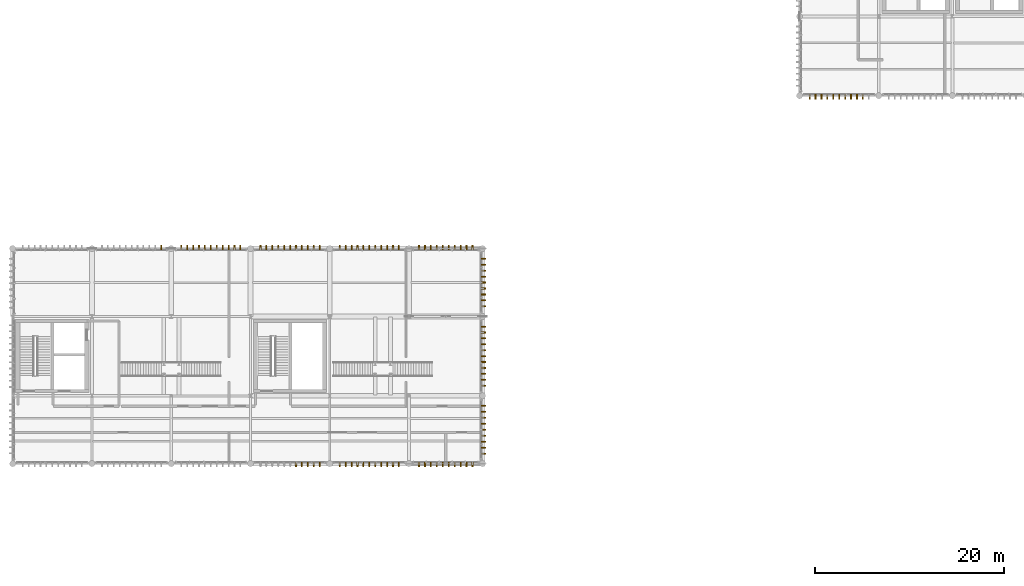
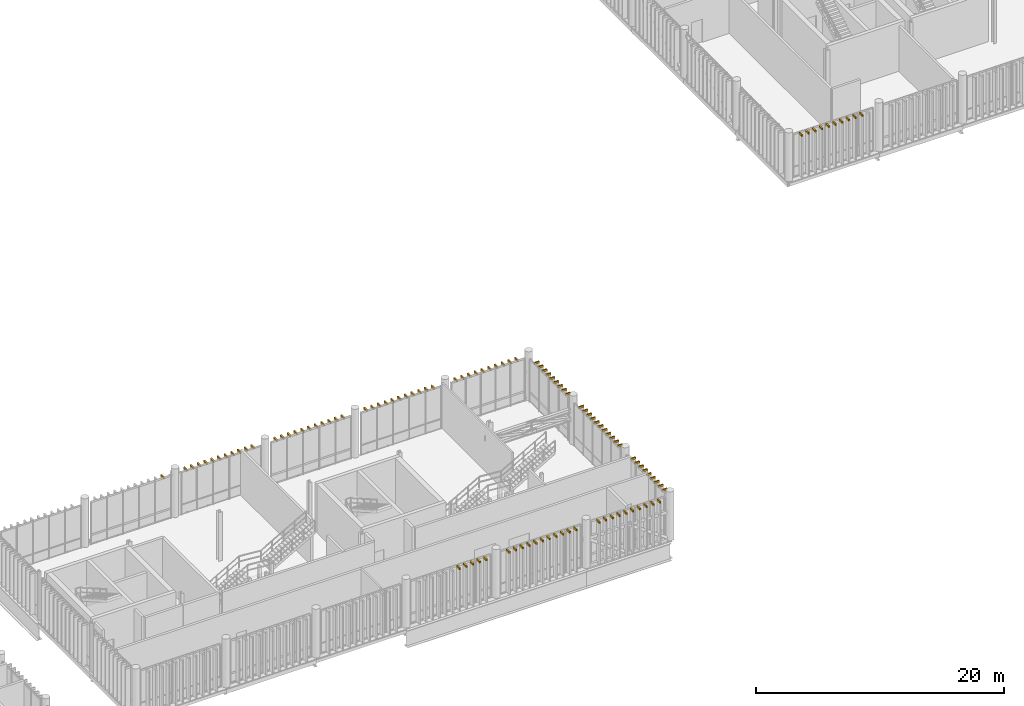
# One storey, part 85 of 86: 109 shading devices.
"""IFC4 building model written with IfcOpenShell, lengths in metres."""

from ifc_helpers import new_model, si_unit, direction, frame, origin_with_axes, origin_2d_with_axis, place, context, subcontext, project, spatial, rectangle, extrude, material, type_object, element, save


model = new_model("IFC4")

# Units and contexts
model_context = context("Model", 3, precision=1e-05, world=origin_with_axes(), true_north=direction((0.0, 1.0)))
body_context = subcontext(model_context, "Body", "Model", "MODEL_VIEW")
ifc_project = project(units=[si_unit("LENGTHUNIT", "METRE"), si_unit("AREAUNIT", "SQUARE_METRE"), si_unit("VOLUMEUNIT", "CUBIC_METRE"), si_unit("PLANEANGLEUNIT", "RADIAN"), si_unit("MASSUNIT", "GRAM", prefix="KILO"), si_unit("THERMODYNAMICTEMPERATUREUNIT", "KELVIN")], contexts=[model_context])

# Site, building, storey
site_placement = place(None, origin_with_axes())
site = spatial("IfcSite", under=ifc_project, at=site_placement, CompositionType="ELEMENT")
building_placement = place(site_placement, origin_with_axes())
building = spatial("IfcBuilding", under=site, at=building_placement, Name="Montbau Bow Law Courts", CompositionType="ELEMENT")
storey_placement = place(building_placement, frame((0.0, 0.0, 29.7), z_axis=(0.0, 0.0, 1.0), x_axis=(1.0, 0.0, 0.0)))
storey = spatial("IfcBuildingStorey", under=building, at=storey_placement, Name="L06", CompositionType="ELEMENT", Elevation=29.7)

# Shading devices
ifc_material_1 = material(Name="Freeze-Thaw Glazed Cream Ceramic Vertical Louvre", Category="masonry")
shading_device_type_1 = type_object("IfcShadingDeviceType", Name="SH-LVR-CRM", PredefinedType="USERDEFINED", material=ifc_material_1)
for number, where, z_axis, x_axis, name in (
    (1, (85.227, 38.89, 33.74), (0.0, 0.0, 1.0), (0.0, -1.0, 0.0), "LVR-L06-1942:shd_1942"),
    (2, (85.853, 38.89, 33.74), (0.0, 0.0, 1.0), (0.0, -1.0, 0.0), "LVR-L06-1943:shd_1943"),
    (3, (86.48, 38.89, 33.74), (0.0, 0.0, 1.0), (0.0, -1.0, 0.0), "LVR-L06-1944:shd_1944"),
    (4, (87.107, 38.89, 33.74), (0.0, 0.0, 1.0), (0.0, -1.0, 0.0), "LVR-L06-1945:shd_1945"),
    (5, (87.733, 38.89, 33.74), (0.0, 0.0, 1.0), (0.0, -1.0, 0.0), "LVR-L06-1946:shd_1946"),
    (6, (89.867, 38.89, 33.74), (0.0, 0.0, 1.0), (0.0, -1.0, 0.0), "LVR-L06-1947:shd_1947"),
    (7, (90.493, 38.89, 33.74), (0.0, 0.0, 1.0), (0.0, -1.0, 0.0), "LVR-L06-1948:shd_1948"),
    (8, (91.12, 38.89, 33.74), (0.0, 0.0, 1.0), (0.0, -1.0, 0.0), "LVR-L06-1949:shd_1949"),
    (9, (91.747, 38.89, 33.74), (0.0, 0.0, 1.0), (0.0, -1.0, 0.0), "LVR-L06-1950:shd_1950"),
    (10, (92.373, 38.89, 33.74), (0.0, 0.0, 1.0), (0.0, -1.0, 0.0), "LVR-L06-1951:shd_1951"),
    (11, (93.0, 38.89, 33.74), (0.0, 0.0, 1.0), (0.0, -1.0, 0.0), "LVR-L06-1952:shd_1952"),
    (12, (93.627, 38.89, 33.74), (0.0, 0.0, 1.0), (0.0, -1.0, 0.0), "LVR-L06-1953:shd_1953"),
    (13, (94.253, 38.89, 33.74), (0.0, 0.0, 1.0), (0.0, -1.0, 0.0), "LVR-L06-1954:shd_1954"),
    (14, (94.88, 38.89, 33.74), (0.0, 0.0, 1.0), (0.0, -1.0, 0.0), "LVR-L06-1955:shd_1955"),
    (15, (95.507, 38.89, 33.74), (0.0, 0.0, 1.0), (0.0, -1.0, 0.0), "LVR-L06-1956:shd_1956"),
    (16, (96.133, 38.89, 33.74), (0.0, 0.0, 1.0), (0.0, -1.0, 0.0), "LVR-L06-1957:shd_1957"),
    (17, (98.269, 38.89, 33.74), (0.0, 0.0, 1.0), (0.0, -1.0, 0.0), "LVR-L06-1958:shd_1958"),
    (18, (98.898, 38.89, 33.74), (0.0, 0.0, 1.0), (0.0, -1.0, 0.0), "LVR-L06-1959:shd_1959"),
    (19, (99.527, 38.89, 33.74), (0.0, 0.0, 1.0), (0.0, -1.0, 0.0), "LVR-L06-1960:shd_1960"),
    (20, (100.156, 38.89, 33.74), (0.0, 0.0, 1.0), (0.0, -1.0, 0.0), "LVR-L06-1961:shd_1961"),
    (21, (100.785, 38.89, 33.74), (0.0, 0.0, 1.0), (0.0, -1.0, 0.0), "LVR-L06-1962:shd_1962"),
    (22, (101.415, 38.89, 33.74), (0.0, 0.0, 1.0), (0.0, -1.0, 0.0), "LVR-L06-1963:shd_1963"),
    (23, (102.044, 38.89, 33.74), (0.0, 0.0, 1.0), (0.0, -1.0, 0.0), "LVR-L06-1964:shd_1964"),
    (24, (102.673, 38.89, 33.74), (0.0, 0.0, 1.0), (0.0, -1.0, 0.0), "LVR-L06-1965:shd_1965"),
    (25, (103.302, 38.89, 33.74), (0.0, 0.0, 1.0), (0.0, -1.0, 0.0), "LVR-L06-1966:shd_1966"),
    (26, (103.931, 38.89, 33.74), (0.0, 0.0, 1.0), (0.0, -1.0, 0.0), "LVR-L06-1967:shd_1967"),
    (27, (70.933, 61.91, 33.74), (0.0, 0.0, 1.0), (0.0, 1.0, 0.0), "LVR-L06-1989:shd_1989"),
    (28, (73.067, 61.91, 33.74), (0.0, 0.0, 1.0), (0.0, 1.0, 0.0), "LVR-L06-1990:shd_1990"),
    (29, (73.693, 61.91, 33.74), (0.0, 0.0, 1.0), (0.0, 1.0, 0.0), "LVR-L06-1991:shd_1991"),
    (30, (74.32, 61.91, 33.74), (0.0, 0.0, 1.0), (0.0, 1.0, 0.0), "LVR-L06-1992:shd_1992"),
    (31, (74.947, 61.91, 33.74), (0.0, 0.0, 1.0), (0.0, 1.0, 0.0), "LVR-L06-1993:shd_1993"),
    (32, (75.573, 61.91, 33.74), (0.0, 0.0, 1.0), (0.0, 1.0, 0.0), "LVR-L06-1994:shd_1994"),
    (33, (76.2, 61.91, 33.74), (0.0, 0.0, 1.0), (0.0, 1.0, 0.0), "LVR-L06-1995:shd_1995"),
    (34, (76.827, 61.91, 33.74), (0.0, 0.0, 1.0), (0.0, 1.0, 0.0), "LVR-L06-1996:shd_1996"),
    (35, (77.453, 61.91, 33.74), (0.0, 0.0, 1.0), (0.0, 1.0, 0.0), "LVR-L06-1997:shd_1997"),
    (36, (78.08, 61.91, 33.74), (0.0, 0.0, 1.0), (0.0, 1.0, 0.0), "LVR-L06-1998:shd_1998"),
    (37, (78.707, 61.91, 33.74), (0.0, 0.0, 1.0), (0.0, 1.0, 0.0), "LVR-L06-1999:shd_1999"),
    (38, (79.333, 61.91, 33.74), (0.0, 0.0, 1.0), (0.0, 1.0, 0.0), "LVR-L06-2000:shd_2000"),
    (39, (81.467, 61.91, 33.74), (0.0, 0.0, 1.0), (0.0, 1.0, 0.0), "LVR-L06-2001:shd_2001"),
    (40, (82.093, 61.91, 33.74), (0.0, 0.0, 1.0), (0.0, 1.0, 0.0), "LVR-L06-2002:shd_2002"),
    (41, (82.72, 61.91, 33.74), (0.0, 0.0, 1.0), (0.0, 1.0, 0.0), "LVR-L06-2003:shd_2003"),
    (42, (83.347, 61.91, 33.74), (0.0, 0.0, 1.0), (0.0, 1.0, 0.0), "LVR-L06-2004:shd_2004"),
    (43, (83.973, 61.91, 33.74), (0.0, 0.0, 1.0), (0.0, 1.0, 0.0), "LVR-L06-2005:shd_2005"),
    (44, (84.6, 61.91, 33.74), (0.0, 0.0, 1.0), (0.0, 1.0, 0.0), "LVR-L06-2006:shd_2006"),
    (45, (85.227, 61.91, 33.74), (0.0, 0.0, 1.0), (0.0, 1.0, 0.0), "LVR-L06-2007:shd_2007"),
    (46, (85.853, 61.91, 33.74), (0.0, 0.0, 1.0), (0.0, 1.0, 0.0), "LVR-L06-2008:shd_2008"),
    (47, (86.48, 61.91, 33.74), (0.0, 0.0, 1.0), (0.0, 1.0, 0.0), "LVR-L06-2009:shd_2009"),
    (48, (87.107, 61.91, 33.74), (0.0, 0.0, 1.0), (0.0, 1.0, 0.0), "LVR-L06-2010:shd_2010"),
    (49, (87.733, 61.91, 33.74), (0.0, 0.0, 1.0), (0.0, 1.0, 0.0), "LVR-L06-2011:shd_2011"),
    (50, (89.867, 61.91, 33.74), (0.0, 0.0, 1.0), (0.0, 1.0, 0.0), "LVR-L06-2012:shd_2012"),
    (51, (90.493, 61.91, 33.74), (0.0, 0.0, 1.0), (0.0, 1.0, 0.0), "LVR-L06-2013:shd_2013"),
    (52, (91.12, 61.91, 33.74), (0.0, 0.0, 1.0), (0.0, 1.0, 0.0), "LVR-L06-2014:shd_2014"),
    (53, (91.747, 61.91, 33.74), (0.0, 0.0, 1.0), (0.0, 1.0, 0.0), "LVR-L06-2015:shd_2015"),
    (54, (92.373, 61.91, 33.74), (0.0, 0.0, 1.0), (0.0, 1.0, 0.0), "LVR-L06-2016:shd_2016"),
    (55, (93.0, 61.91, 33.74), (0.0, 0.0, 1.0), (0.0, 1.0, 0.0), "LVR-L06-2017:shd_2017"),
    (56, (93.627, 61.91, 33.74), (0.0, 0.0, 1.0), (0.0, 1.0, 0.0), "LVR-L06-2018:shd_2018"),
    (57, (94.253, 61.91, 33.74), (0.0, 0.0, 1.0), (0.0, 1.0, 0.0), "LVR-L06-2019:shd_2019"),
    (58, (94.88, 61.91, 33.74), (0.0, 0.0, 1.0), (0.0, 1.0, 0.0), "LVR-L06-2020:shd_2020"),
    (59, (95.507, 61.91, 33.74), (0.0, 0.0, 1.0), (0.0, 1.0, 0.0), "LVR-L06-2021:shd_2021"),
    (60, (96.133, 61.91, 33.74), (0.0, 0.0, 1.0), (0.0, 1.0, 0.0), "LVR-L06-2022:shd_2022"),
    (61, (98.269, 61.91, 33.74), (0.0, 0.0, 1.0), (0.0, 1.0, 0.0), "LVR-L06-2023:shd_2023"),
    (62, (98.898, 61.91, 33.74), (0.0, 0.0, 1.0), (0.0, 1.0, 0.0), "LVR-L06-2024:shd_2024"),
    (63, (99.527, 61.91, 33.74), (0.0, 0.0, 1.0), (0.0, 1.0, 0.0), "LVR-L06-2025:shd_2025"),
    (64, (100.156, 61.91, 33.74), (0.0, 0.0, 1.0), (0.0, 1.0, 0.0), "LVR-L06-2026:shd_2026"),
    (65, (100.785, 61.91, 33.74), (0.0, 0.0, 1.0), (0.0, 1.0, 0.0), "LVR-L06-2027:shd_2027"),
    (66, (101.415, 61.91, 33.74), (0.0, 0.0, 1.0), (0.0, 1.0, 0.0), "LVR-L06-2028:shd_2028"),
    (67, (102.044, 61.91, 33.74), (0.0, 0.0, 1.0), (0.0, 1.0, 0.0), "LVR-L06-2029:shd_2029"),
    (68, (102.673, 61.91, 33.74), (0.0, 0.0, 1.0), (0.0, 1.0, 0.0), "LVR-L06-2030:shd_2030"),
    (69, (103.302, 61.91, 33.74), (0.0, 0.0, 1.0), (0.0, 1.0, 0.0), "LVR-L06-2031:shd_2031"),
    (70, (103.931, 61.91, 33.74), (0.0, 0.0, 1.0), (0.0, 1.0, 0.0), "LVR-L06-2032:shd_2032"),
    (71, (105.11, 40.072, 33.74), (0.0, 0.0, 1.0), (1.0, 0.0, 0.0), "LVR-L06-2062:shd_2062"),
    (72, (105.11, 40.704, 33.74), (0.0, 0.0, 1.0), (1.0, 0.0, 0.0), "LVR-L06-2063:shd_2063"),
    (73, (105.11, 41.336, 33.74), (0.0, 0.0, 1.0), (1.0, 0.0, 0.0), "LVR-L06-2064:shd_2064"),
    (74, (105.11, 41.968, 33.74), (0.0, 0.0, 1.0), (1.0, 0.0, 0.0), "LVR-L06-2065:shd_2065"),
    (75, (105.11, 42.6, 33.74), (0.0, 0.0, 1.0), (1.0, 0.0, 0.0), "LVR-L06-2066:shd_2066"),
    (76, (105.11, 43.232, 33.74), (0.0, 0.0, 1.0), (1.0, 0.0, 0.0), "LVR-L06-2067:shd_2067"),
    (77, (105.11, 43.864, 33.74), (0.0, 0.0, 1.0), (1.0, 0.0, 0.0), "LVR-L06-2068:shd_2068"),
    (78, (105.11, 44.496, 33.74), (0.0, 0.0, 1.0), (1.0, 0.0, 0.0), "LVR-L06-2069:shd_2069"),
    (79, (105.11, 45.128, 33.74), (0.0, 0.0, 1.0), (1.0, 0.0, 0.0), "LVR-L06-2070:shd_2070"),
    (80, (105.11, 47.267, 33.74), (0.0, 0.0, 1.0), (1.0, 0.0, 0.0), "LVR-L06-2071:shd_2071"),
    (81, (105.11, 47.893, 33.74), (0.0, 0.0, 1.0), (1.0, 0.0, 0.0), "LVR-L06-2072:shd_2072"),
    (82, (105.11, 48.52, 33.74), (0.0, 0.0, 1.0), (1.0, 0.0, 0.0), "LVR-L06-2073:shd_2073"),
    (83, (105.11, 49.147, 33.74), (0.0, 0.0, 1.0), (1.0, 0.0, 0.0), "LVR-L06-2074:shd_2074"),
    (84, (105.11, 49.773, 33.74), (0.0, 0.0, 1.0), (1.0, 0.0, 0.0), "LVR-L06-2075:shd_2075"),
    (85, (105.11, 50.4, 33.74), (0.0, 0.0, 1.0), (1.0, 0.0, 0.0), "LVR-L06-2076:shd_2076"),
    (86, (105.11, 51.027, 33.74), (0.0, 0.0, 1.0), (1.0, 0.0, 0.0), "LVR-L06-2077:shd_2077"),
    (87, (105.11, 51.653, 33.74), (0.0, 0.0, 1.0), (1.0, 0.0, 0.0), "LVR-L06-2078:shd_2078"),
    (88, (105.11, 52.28, 33.74), (0.0, 0.0, 1.0), (1.0, 0.0, 0.0), "LVR-L06-2079:shd_2079"),
    (89, (105.11, 52.907, 33.74), (0.0, 0.0, 1.0), (1.0, 0.0, 0.0), "LVR-L06-2080:shd_2080"),
    (90, (105.11, 53.533, 33.74), (0.0, 0.0, 1.0), (1.0, 0.0, 0.0), "LVR-L06-2081:shd_2081"),
    (91, (105.11, 55.672, 33.74), (0.0, 0.0, 1.0), (1.0, 0.0, 0.0), "LVR-L06-2082:shd_2082"),
    (92, (105.11, 56.304, 33.74), (0.0, 0.0, 1.0), (1.0, 0.0, 0.0), "LVR-L06-2083:shd_2083"),
    (93, (105.11, 56.936, 33.74), (0.0, 0.0, 1.0), (1.0, 0.0, 0.0), "LVR-L06-2084:shd_2084"),
    (94, (105.11, 57.568, 33.74), (0.0, 0.0, 1.0), (1.0, 0.0, 0.0), "LVR-L06-2085:shd_2085"),
    (95, (105.11, 58.2, 33.74), (0.0, 0.0, 1.0), (1.0, 0.0, 0.0), "LVR-L06-2086:shd_2086"),
    (96, (105.11, 58.832, 33.74), (0.0, 0.0, 1.0), (1.0, 0.0, 0.0), "LVR-L06-2087:shd_2087"),
    (97, (105.11, 59.464, 33.74), (0.0, 0.0, 1.0), (1.0, 0.0, 0.0), "LVR-L06-2088:shd_2088"),
    (98, (105.11, 60.096, 33.74), (0.0, 0.0, 1.0), (1.0, 0.0, 0.0), "LVR-L06-2089:shd_2089"),
    (99, (105.11, 60.728, 33.74), (0.0, 0.0, 1.0), (1.0, 0.0, 0.0), "LVR-L06-2090:shd_2090"),
):
    element("IfcShadingDevice", number, at=place(None, frame(where, z_axis=z_axis, x_axis=x_axis)), inside=storey, type_object=shading_device_type_1, Name=name, ObjectType="LOUVRE", PredefinedType="USERDEFINED", context=body_context, shape_type="SweptSolid", body=[
        extrude(rectangle(XDim=0.48, YDim=0.12, at=origin_2d_with_axis()), origin_with_axes(), (0.0, 0.0, 1.0), 0.18),
    ])
ifc_material_2 = material(Name="Freeze-Thaw Glazed Slate-Grey Ceramic Vertical Louvre", Category="masonry")
shading_device_type_2 = type_object("IfcShadingDeviceType", Name="SH-LVR-SLT", PredefinedType="USERDEFINED", material=ifc_material_2)
for number, where, z_axis, x_axis, name in (
    (100, (139.667, 77.89, 33.74), (0.0, 0.0, 1.0), (0.0, -1.0, 0.0), "LVR-L06-3066:shd_3066"),
    (101, (140.293, 77.89, 33.74), (0.0, 0.0, 1.0), (0.0, -1.0, 0.0), "LVR-L06-3067:shd_3067"),
    (102, (140.92, 77.89, 33.74), (0.0, 0.0, 1.0), (0.0, -1.0, 0.0), "LVR-L06-3068:shd_3068"),
    (103, (141.547, 77.89, 33.74), (0.0, 0.0, 1.0), (0.0, -1.0, 0.0), "LVR-L06-3069:shd_3069"),
    (104, (142.173, 77.89, 33.74), (0.0, 0.0, 1.0), (0.0, -1.0, 0.0), "LVR-L06-3070:shd_3070"),
    (105, (142.8, 77.89, 33.74), (0.0, 0.0, 1.0), (0.0, -1.0, 0.0), "LVR-L06-3071:shd_3071"),
    (106, (143.427, 77.89, 33.74), (0.0, 0.0, 1.0), (0.0, -1.0, 0.0), "LVR-L06-3072:shd_3072"),
    (107, (144.053, 77.89, 33.74), (0.0, 0.0, 1.0), (0.0, -1.0, 0.0), "LVR-L06-3073:shd_3073"),
    (108, (144.68, 77.89, 33.74), (0.0, 0.0, 1.0), (0.0, -1.0, 0.0), "LVR-L06-3074:shd_3074"),
    (109, (145.307, 77.89, 33.74), (0.0, 0.0, 1.0), (0.0, -1.0, 0.0), "LVR-L06-3075:shd_3075"),
):
    element("IfcShadingDevice", number, at=place(None, frame(where, z_axis=z_axis, x_axis=x_axis)), inside=storey, type_object=shading_device_type_2, Name=name, ObjectType="LOUVRE", PredefinedType="USERDEFINED", context=body_context, shape_type="SweptSolid", body=[
        extrude(rectangle(XDim=0.48, YDim=0.12, at=origin_2d_with_axis()), origin_with_axes(), (0.0, 0.0, 1.0), 0.18),
    ])

save(model, "model.ifc")
